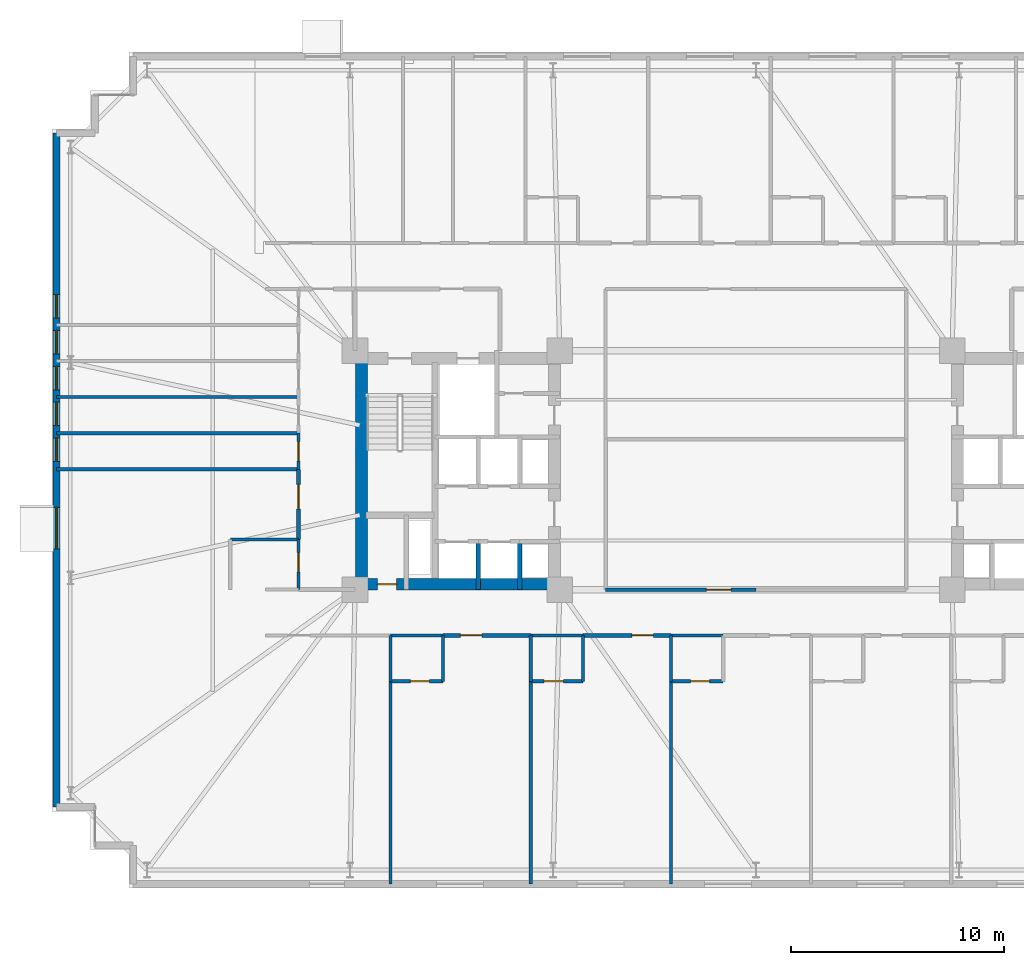
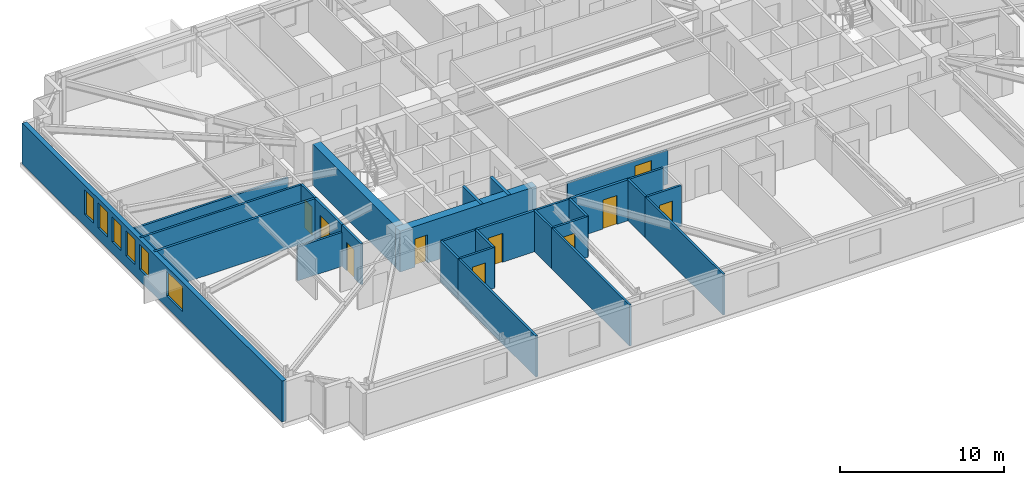
# One storey, part 14 of 22: 29 walls, 10 doors, 6 windows, 16 openings.
"""IFC4 building model written with IfcOpenShell, lengths in metres."""

from ifc_helpers import new_model, si_unit, direction, frame, frame_2d, origin, place, context, subcontext, project, spatial, rectangle, extrude, material, layer, layer_set, type_object, element, fill, save


model = new_model("IFC4")

# Units and contexts
model_context = context("Model", 3, precision=1e-05, world=origin(), true_north=direction((0.0, 1.0)))
body_context = subcontext(model_context, "Body", "Model", "MODEL_VIEW")
ifc_project = project(units=[si_unit("LENGTHUNIT", "METRE"), si_unit("AREAUNIT", "SQUARE_METRE"), si_unit("VOLUMEUNIT", "CUBIC_METRE"), si_unit("PLANEANGLEUNIT", "RADIAN"), si_unit("MASSUNIT", "GRAM", prefix="KILO")], contexts=[model_context])

# Site, building, storey
site_placement = place(None, origin())
site = spatial("IfcSite", under=ifc_project, at=site_placement, CompositionType="ELEMENT")
building_placement = place(site_placement, origin())
building = spatial("IfcBuilding", under=site, at=building_placement, Name="Qobustan Lattice House", CompositionType="ELEMENT")
storey_placement = place(building_placement, frame((0.0, 0.0, 60.5)))
storey = spatial("IfcBuildingStorey", under=building, at=storey_placement, Name="L16", CompositionType="ELEMENT", Elevation=60.5)

# Wall, opening, door
ifc_material_1 = material(Name="Concrete C60/75", Category="concrete")
ifc_layer_1 = layer(ifc_material_1, 0.56005859375)
ifc_layer_set_1 = layer_set([ifc_layer_1], Name="Concrete C60/75")
wall_type_1 = type_object("IfcWallType", Name="WAL-CORE-600", PredefinedType="SHEAR", material=ifc_layer_set_1)
wall_1_placement = place(storey_placement, frame((-18.800048828125, -5.35009765625, 0.0), z_axis=(0.0, 0.0, 1.0), x_axis=(1.0, 0.0, 0.0)))
wall_1 = element("IfcWall", 1, at=wall_1_placement, inside=storey, type_object=wall_type_1, Name="L16 split-core shear wall CW-S", PredefinedType="SHEAR", context=body_context, shape_type="SweptSolid", body=[
    extrude(rectangle(XDim=9.60009765625, YDim=0.56005859375, at=frame_2d((4.800048828125, 0.0))), origin(), (0.0, 0.0, 1.0), 3.034912109375),
])
opening_1_placement = place(wall_1_placement, frame((1.050048828125, 0.0, 0.0)))
opening_1 = element("IfcOpeningElement", 2, at=opening_1_placement, cuts=wall_1, Name="Opening RD-01", PredefinedType="OPENING", context=body_context, shape_type="SweptSolid", body=[
    extrude(rectangle(XDim=0.89990234375, YDim=2.10009765625, at=frame_2d((0.449951171875, 1.050048828125))), frame((0.0, 0.2900390625, 0.0), z_axis=(0.0, -1.0, 0.0), x_axis=(1.0, 0.0, 0.0)), (0.0, 0.0, 1.0), 0.580078125),
])
ifc_material_2 = material(Name="Persian walnut timber and steel frame door", Category="steel")
door_type_1 = type_object("IfcDoorType", Name="DOR-RISER-FD-900x2100", OperationType="NOTDEFINED", PredefinedType="DOOR", material=ifc_material_2)
door_1_placement = place(opening_1_placement, origin())
door_1 = element("IfcDoor", 3, at=door_1_placement, inside=storey, type_object=door_type_1, Name="L16 core service riser access door W", OperationType="SINGLE_SWING_RIGHT", OverallHeight=2.10009765625, OverallWidth=0.89990234375, PredefinedType="DOOR", context=body_context, shape_type="SweptSolid", body=[
    extrude(rectangle(XDim=0.89990234375, YDim=2.10009765625, at=frame_2d((0.449951171875, 1.050048828125))), frame((0.0, 0.02490234375, 0.0), z_axis=(0.0, -1.0, 0.0), x_axis=(1.0, 0.0, 0.0)), (0.0, 0.0, 1.0), 0.050048828125),
])
fill(opening_1, door_1)

# Wall
wall_2_placement = place(storey_placement, frame((-18.489990234375, -5.050048828125, 0.0), z_axis=(0.0, 0.0, 1.0), x_axis=(0.0, 1.0, 0.0)))
element("IfcWall", 4, at=wall_2_placement, inside=storey, type_object=wall_type_1, Name="L16 split-core shear wall CW-W", PredefinedType="SHEAR", context=body_context, shape_type="SweptSolid", body=[
    extrude(rectangle(XDim=10.10009765625, YDim=0.56005859375, at=frame_2d((5.050048828125, 0.0))), origin(), (0.0, 0.0, 1.0), 3.034912109375),
])

# Wall, openings, windows
ifc_material_3 = material(Name="Precast concrete C40/50", Category="concrete")
ifc_layer_2 = layer(ifc_material_3, 0.320068359375)
ifc_layer_set_2 = layer_set([ifc_layer_2], Name="Precast concrete C40/50")
wall_type_2 = type_object("IfcWallType", Name="WAL-EXT-STONE-320", PredefinedType="SOLIDWALL", material=ifc_layer_set_2)
wall_3_placement = place(storey_placement, frame((-32.800048828125, -15.800048828125, 0.0), z_axis=(0.0, 0.0, 1.0), x_axis=(0.0, 1.0, 0.0)))
wall_3 = element("IfcWall", 5, at=wall_3_placement, inside=storey, type_object=wall_type_2, Name="L16 exterior limestone-clad wall 5", PredefinedType="SOLIDWALL", context=body_context, shape_type="SweptSolid", body=[
    extrude(rectangle(XDim=31.60009765625, YDim=0.320068359375, at=frame_2d((15.800048828125, 0.0))), origin(), (0.0, 0.0, 1.0), 3.034912109375),
])
opening_2_placement = place(wall_3_placement, frame((12.10498046875, 0.0, 0.85009765625)))
opening_2 = element("IfcOpeningElement", 6, at=opening_2_placement, cuts=wall_3, Name="Opening WN-08", PredefinedType="OPENING", context=body_context, shape_type="SweptSolid", body=[
    extrude(rectangle(XDim=1.949951171875, YDim=1.85009765625, at=frame_2d((0.97509765625, 0.925048828125))), frame((0.0, 0.169921875, 0.0), z_axis=(0.0, -1.0, 0.0), x_axis=(1.0, 0.0, 0.0)), (0.0, 0.0, 1.0), 0.340087890625),
])
opening_3_placement = place(wall_3_placement, frame((16.2099609375, 0.0, 0.85009765625)))
opening_3 = element("IfcOpeningElement", 7, at=opening_3_placement, cuts=wall_3, Name="Opening WN-04", PredefinedType="OPENING", context=body_context, shape_type="SweptSolid", body=[
    extrude(rectangle(XDim=1.10009765625, YDim=1.85009765625, at=frame_2d((0.550048828125, 0.925048828125))), frame((0.0, 0.169921875, 0.0), z_axis=(0.0, -1.0, 0.0), x_axis=(1.0, 0.0, 0.0)), (0.0, 0.0, 1.0), 0.340087890625),
])
opening_4_placement = place(wall_3_placement, frame((17.889892578125, 0.0, 0.85009765625)))
opening_4 = element("IfcOpeningElement", 8, at=opening_4_placement, cuts=wall_3, Name="Opening WN-04", PredefinedType="OPENING", context=body_context, shape_type="SweptSolid", body=[
    extrude(rectangle(XDim=1.10009765625, YDim=1.85009765625, at=frame_2d((0.550048828125, 0.925048828125))), frame((0.0, 0.169921875, 0.0), z_axis=(0.0, -1.0, 0.0), x_axis=(1.0, 0.0, 0.0)), (0.0, 0.0, 1.0), 0.340087890625),
])
opening_5_placement = place(wall_3_placement, frame((19.570068359375, 0.0, 0.85009765625)))
opening_5 = element("IfcOpeningElement", 9, at=opening_5_placement, cuts=wall_3, Name="Opening WN-04", PredefinedType="OPENING", context=body_context, shape_type="SweptSolid", body=[
    extrude(rectangle(XDim=1.10009765625, YDim=1.85009765625, at=frame_2d((0.550048828125, 0.925048828125))), frame((0.0, 0.169921875, 0.0), z_axis=(0.0, -1.0, 0.0), x_axis=(1.0, 0.0, 0.0)), (0.0, 0.0, 1.0), 0.340087890625),
])
opening_6_placement = place(wall_3_placement, frame((21.25, 0.0, 0.85009765625)))
opening_6 = element("IfcOpeningElement", 10, at=opening_6_placement, cuts=wall_3, Name="Opening WN-04", PredefinedType="OPENING", context=body_context, shape_type="SweptSolid", body=[
    extrude(rectangle(XDim=1.10009765625, YDim=1.85009765625, at=frame_2d((0.550048828125, 0.925048828125))), frame((0.0, 0.169921875, 0.0), z_axis=(0.0, -1.0, 0.0), x_axis=(1.0, 0.0, 0.0)), (0.0, 0.0, 1.0), 0.340087890625),
])
opening_7_placement = place(wall_3_placement, frame((22.929931640625, 0.0, 0.85009765625)))
opening_7 = element("IfcOpeningElement", 11, at=opening_7_placement, cuts=wall_3, Name="Opening WN-04", PredefinedType="OPENING", context=body_context, shape_type="SweptSolid", body=[
    extrude(rectangle(XDim=1.10009765625, YDim=1.85009765625, at=frame_2d((0.550048828125, 0.925048828125))), frame((0.0, 0.169921875, 0.0), z_axis=(0.0, -1.0, 0.0), x_axis=(1.0, 0.0, 0.0)), (0.0, 0.0, 1.0), 0.340087890625),
])
ifc_material_4 = material(Name="Double-glazed low-E aluminium window", Category="aluminium")
window_type_1 = type_object("IfcWindowType", Name="WIN-KIT-1950x1850", PartitioningType="SINGLE_PANEL", PredefinedType="WINDOW", material=ifc_material_4)
window_1_placement = place(opening_2_placement, origin())
window_1 = element("IfcWindow", 12, at=window_1_placement, inside=storey, type_object=window_type_1, Name="L16 Shared kitchen L16W window", OverallHeight=1.85009765625, OverallWidth=1.949951171875, PartitioningType="SINGLE_PANEL", PredefinedType="WINDOW", context=body_context, shape_type="SweptSolid", body=[
    extrude(rectangle(XDim=1.949951171875, YDim=1.85009765625, at=frame_2d((0.97509765625, 0.925048828125))), frame((0.0, 0.030029296875, 0.0), z_axis=(0.0, -1.0, 0.0), x_axis=(1.0, 0.0, 0.0)), (0.0, 0.0, 1.0), 0.06005859375),
])
fill(opening_2, window_1)
ifc_material_5 = material(Name="Double-glazed low-E aluminium window", Category="aluminium")
window_type_2 = type_object("IfcWindowType", Name="WIN-NAR-1100x1850", PartitioningType="SINGLE_PANEL", PredefinedType="WINDOW", material=ifc_material_5)
window_2_placement = place(opening_3_placement, origin())
window_2 = element("IfcWindow", 13, at=window_2_placement, inside=storey, type_object=window_type_2, Name="L16 Cluster bedroom L16W1 window", OverallHeight=1.85009765625, OverallWidth=1.10009765625, PartitioningType="SINGLE_PANEL", PredefinedType="WINDOW", context=body_context, shape_type="SweptSolid", body=[
    extrude(rectangle(XDim=1.10009765625, YDim=1.85009765625, at=frame_2d((0.550048828125, 0.925048828125))), frame((0.0, 0.030029296875, 0.0), z_axis=(0.0, -1.0, 0.0), x_axis=(1.0, 0.0, 0.0)), (0.0, 0.0, 1.0), 0.06005859375),
])
fill(opening_3, window_2)
window_3_placement = place(opening_4_placement, origin())
window_3 = element("IfcWindow", 14, at=window_3_placement, inside=storey, type_object=window_type_2, Name="L16 Cluster bedroom L16W2 window", OverallHeight=1.85009765625, OverallWidth=1.10009765625, PartitioningType="SINGLE_PANEL", PredefinedType="WINDOW", context=body_context, shape_type="SweptSolid", body=[
    extrude(rectangle(XDim=1.10009765625, YDim=1.85009765625, at=frame_2d((0.550048828125, 0.925048828125))), frame((0.0, 0.030029296875, 0.0), z_axis=(0.0, -1.0, 0.0), x_axis=(1.0, 0.0, 0.0)), (0.0, 0.0, 1.0), 0.06005859375),
])
fill(opening_4, window_3)
window_4_placement = place(opening_5_placement, origin())
window_4 = element("IfcWindow", 15, at=window_4_placement, inside=storey, type_object=window_type_2, Name="L16 Cluster bedroom L16W3 window", OverallHeight=1.85009765625, OverallWidth=1.10009765625, PartitioningType="SINGLE_PANEL", PredefinedType="WINDOW", context=body_context, shape_type="SweptSolid", body=[
    extrude(rectangle(XDim=1.10009765625, YDim=1.85009765625, at=frame_2d((0.550048828125, 0.925048828125))), frame((0.0, 0.030029296875, 0.0), z_axis=(0.0, -1.0, 0.0), x_axis=(1.0, 0.0, 0.0)), (0.0, 0.0, 1.0), 0.06005859375),
])
fill(opening_5, window_4)
window_5_placement = place(opening_6_placement, origin())
window_5 = element("IfcWindow", 16, at=window_5_placement, inside=storey, type_object=window_type_2, Name="L16 Cluster bedroom L16W4 window", OverallHeight=1.85009765625, OverallWidth=1.10009765625, PartitioningType="SINGLE_PANEL", PredefinedType="WINDOW", context=body_context, shape_type="SweptSolid", body=[
    extrude(rectangle(XDim=1.10009765625, YDim=1.85009765625, at=frame_2d((0.550048828125, 0.925048828125))), frame((0.0, 0.030029296875, 0.0), z_axis=(0.0, -1.0, 0.0), x_axis=(1.0, 0.0, 0.0)), (0.0, 0.0, 1.0), 0.06005859375),
])
fill(opening_6, window_5)
window_6_placement = place(opening_7_placement, origin())
window_6 = element("IfcWindow", 17, at=window_6_placement, inside=storey, type_object=window_type_2, Name="L16 Cluster bedroom L16W5 window", OverallHeight=1.85009765625, OverallWidth=1.10009765625, PartitioningType="SINGLE_PANEL", PredefinedType="WINDOW", context=body_context, shape_type="SweptSolid", body=[
    extrude(rectangle(XDim=1.10009765625, YDim=1.85009765625, at=frame_2d((0.550048828125, 0.925048828125))), frame((0.0, 0.030029296875, 0.0), z_axis=(0.0, -1.0, 0.0), x_axis=(1.0, 0.0, 0.0)), (0.0, 0.0, 1.0), 0.06005859375),
])
fill(opening_7, window_6)

# Wall, opening, door
ifc_material_6 = material(Name="Gypsum fireboard acoustic partition", Category="gypsum")
ifc_layer_3 = layer(ifc_material_6, 0.179931640625)
ifc_layer_set_3 = layer_set([ifc_layer_3], Name="Gypsum fireboard acoustic partition")
wall_type_3 = type_object("IfcWallType", Name="WAL-FIRE-180", PredefinedType="PARTITIONING", material=ifc_layer_set_3)
wall_4_placement = place(storey_placement, frame((-10.556884765625, -7.75, 0.0), z_axis=(0.0, 0.0, 1.0), x_axis=(-1.0, 0.0, 0.0)))
wall_4 = element("IfcWall", 18, at=wall_4_placement, inside=storey, type_object=wall_type_3, Name="L16 interior partition 61", PredefinedType="PARTITIONING", context=body_context, shape_type="SweptSolid", body=[
    extrude(rectangle(XDim=4.1220703125, YDim=0.179931640625, at=frame_2d((2.06103515625, 0.0))), origin(), (0.0, 0.0, 1.0), 3.034912109375),
])
opening_8_placement = place(wall_4_placement, frame((2.296630859375, 0.0, 0.0)))
opening_8 = element("IfcOpeningElement", 19, at=opening_8_placement, cuts=wall_4, Name="Opening FD-02", PredefinedType="OPENING", context=body_context, shape_type="SweptSolid", body=[
    extrude(rectangle(XDim=1.0, YDim=2.14990234375, at=frame_2d((0.5, 1.074951171875))), frame((0.0, 0.099853515625, 0.0), z_axis=(0.0, -1.0, 0.0), x_axis=(1.0, 0.0, 0.0)), (0.0, 0.0, 1.0), 0.199951171875),
])
ifc_material_7 = material(Name="Persian walnut timber and steel frame door", Category="steel")
door_type_2 = type_object("IfcDoorType", Name="DOR-UNIT-FD-1000x2150", OperationType="NOTDEFINED", PredefinedType="DOOR", material=ifc_material_7)
door_2_placement = place(opening_8_placement, origin())
door_2 = element("IfcDoor", 20, at=door_2_placement, inside=storey, type_object=door_type_2, Name="L16 South-west floor corridor to Kitchenette and studio apartment L16-S2 door", OperationType="SINGLE_SWING_RIGHT", OverallHeight=2.14990234375, OverallWidth=1.0, PredefinedType="DOOR", context=body_context, shape_type="SweptSolid", body=[
    extrude(rectangle(XDim=1.0, YDim=2.14990234375, at=frame_2d((0.5, 1.074951171875))), frame((0.0, 0.02490234375, 0.0), z_axis=(0.0, -1.0, 0.0), x_axis=(1.0, 0.0, 0.0)), (0.0, 0.0, 1.0), 0.050048828125),
])
fill(opening_8, door_2)

wall_5_placement = place(storey_placement, frame((-3.986083984375, -7.75, 0.0), z_axis=(0.0, 0.0, 1.0), x_axis=(-1.0, 0.0, 0.0)))
wall_5 = element("IfcWall", 21, at=wall_5_placement, inside=storey, type_object=wall_type_3, Name="L16 interior partition 63", PredefinedType="PARTITIONING", context=body_context, shape_type="SweptSolid", body=[
    extrude(rectangle(XDim=4.120849609375, YDim=0.179931640625, at=frame_2d((2.060546875, 0.0))), origin(), (0.0, 0.0, 1.0), 3.034912109375),
])
opening_9_placement = place(wall_5_placement, frame((0.8251953125, 0.0, 0.0)))
opening_9 = element("IfcOpeningElement", 22, at=opening_9_placement, cuts=wall_5, Name="Opening FD-02", PredefinedType="OPENING", context=body_context, shape_type="SweptSolid", body=[
    extrude(rectangle(XDim=1.0, YDim=2.14990234375, at=frame_2d((0.5, 1.074951171875))), frame((0.0, 0.099853515625, 0.0), z_axis=(0.0, -1.0, 0.0), x_axis=(1.0, 0.0, 0.0)), (0.0, 0.0, 1.0), 0.199951171875),
])
door_3_placement = place(opening_9_placement, origin())
door_3 = element("IfcDoor", 23, at=door_3_placement, inside=storey, type_object=door_type_2, Name="L16 South-west floor corridor to Kitchenette and studio apartment L16-S3 door", OperationType="SINGLE_SWING_LEFT", OverallHeight=2.14990234375, OverallWidth=1.0, PredefinedType="DOOR", context=body_context, shape_type="SweptSolid", body=[
    extrude(rectangle(XDim=1.0, YDim=2.14990234375, at=frame_2d((0.5, 1.074951171875))), frame((0.0, 0.02490234375, 0.0), z_axis=(0.0, -1.0, 0.0), x_axis=(1.0, 0.0, 0.0)), (0.0, 0.0, 1.0), 0.050048828125),
])
fill(opening_9, door_3)

ifc_material_8 = material(Name="Acoustic twin-stud gypsum partition", Category="gypsum")
ifc_layer_4 = layer(ifc_material_8, 0.14990234375)
ifc_layer_set_4 = layer_set([ifc_layer_4], Name="Acoustic twin-stud gypsum partition")
wall_type_4 = type_object("IfcWallType", Name="WAL-PART-150", PredefinedType="PARTITIONING", material=ifc_layer_set_4)
wall_6_placement = place(storey_placement, frame((-21.449951171875, 0.0400390625, 0.0), z_axis=(0.0, 0.0, 1.0), x_axis=(0.0, 1.0, 0.0)))
wall_6 = element("IfcWall", 24, at=wall_6_placement, inside=storey, type_object=wall_type_4, Name="L16 interior partition 84", PredefinedType="PARTITIONING", context=body_context, shape_type="SweptSolid", body=[
    extrude(rectangle(XDim=1.69189453125, YDim=0.14990234375, at=frame_2d((0.845947265625, 0.0))), origin(), (0.0, 0.0, 1.0), 3.034912109375),
])
opening_10_placement = place(wall_6_placement, frame((0.39599609375, 0.0, 0.0)))
opening_10 = element("IfcOpeningElement", 25, at=opening_10_placement, cuts=wall_6, Name="Opening WD-01", PredefinedType="OPENING", context=body_context, shape_type="SweptSolid", body=[
    extrude(rectangle(XDim=0.89990234375, YDim=2.10009765625, at=frame_2d((0.449951171875, 1.050048828125))), frame((0.0, 0.0849609375, 0.0), z_axis=(0.0, -1.0, 0.0), x_axis=(1.0, 0.0, 0.0)), (0.0, 0.0, 1.0), 0.169921875),
])
ifc_material_9 = material(Name="Persian walnut timber and steel frame door", Category="steel")
door_type_3 = type_object("IfcDoorType", Name="DOR-WET-900x2100", OperationType="NOTDEFINED", PredefinedType="DOOR", material=ifc_material_9)
door_4_placement = place(opening_10_placement, origin())
door_4 = element("IfcDoor", 26, at=door_4_placement, inside=storey, type_object=door_type_3, Name="L16 Residence entrance hall L16W to Cluster bedroom L16W1 door", OperationType="SINGLE_SWING_RIGHT", OverallHeight=2.10009765625, OverallWidth=0.89990234375, PredefinedType="DOOR", context=body_context, shape_type="SweptSolid", body=[
    extrude(rectangle(XDim=0.89990234375, YDim=2.10009765625, at=frame_2d((0.449951171875, 1.050048828125))), frame((0.0, 0.02490234375, 0.0), z_axis=(0.0, -1.0, 0.0), x_axis=(1.0, 0.0, 0.0)), (0.0, 0.0, 1.0), 0.050048828125),
])
fill(opening_10, door_4)

# Walls
wall_7_placement = place(storey_placement, frame((-32.800048828125, 1.73193359375, 0.0), z_axis=(0.0, 0.0, 1.0), x_axis=(1.0, 0.0, 0.0)))
element("IfcWall", 27, at=wall_7_placement, inside=storey, type_object=wall_type_4, Name="L16 interior partition 92", PredefinedType="PARTITIONING", context=body_context, shape_type="SweptSolid", body=[
    extrude(rectangle(XDim=11.35009765625, YDim=0.14990234375, at=frame_2d((5.675048828125, 0.0))), origin(), (0.0, 0.0, 1.0), 3.034912109375),
])
wall_8_placement = place(storey_placement, frame((-32.800048828125, 3.424072265625, 0.0), z_axis=(0.0, 0.0, 1.0), x_axis=(1.0, 0.0, 0.0)))
element("IfcWall", 28, at=wall_8_placement, inside=storey, type_object=wall_type_4, Name="L16 interior partition 93", PredefinedType="PARTITIONING", context=body_context, shape_type="SweptSolid", body=[
    extrude(rectangle(XDim=11.35009765625, YDim=0.14990234375, at=frame_2d((5.675048828125, 0.0))), origin(), (0.0, 0.0, 1.0), 2.52001953125),
])
for number, where, z_axis, x_axis, name in (
    (29, (-17.12890625, -9.89990234375, 0.0), (0.0, 0.0, 1.0), (0.0, -1.0, 0.0), "L16 interior partition 133"),
    (30, (-10.556884765625, -9.89990234375, 0.0), (0.0, 0.0, 1.0), (0.0, -1.0, 0.0), "L16 interior partition 137"),
    (31, (-3.986083984375, -9.89990234375, 0.0), (0.0, 0.0, 1.0), (0.0, -1.0, 0.0), "L16 interior partition 141"),
):
    element("IfcWall", number, at=place(storey_placement, frame(where, z_axis=z_axis, x_axis=x_axis)), inside=storey, type_object=wall_type_4, Name=name, PredefinedType="PARTITIONING", context=body_context, shape_type="SweptSolid", body=[
        extrude(rectangle(XDim=9.5, YDim=0.14990234375, at=frame_2d((4.75, 0.0))), origin(), (0.0, 0.0, 1.0), 3.034912109375),
    ])

# Wall, opening, door
ifc_material_10 = material(Name="High-mass acoustic twin-stud partition", Category="gypsum")
ifc_layer_5 = layer(ifc_material_10, 0.1650390625)
ifc_layer_set_5 = layer_set([ifc_layer_5], Name="High-mass acoustic twin-stud partition")
wall_type_5 = type_object("IfcWallType", Name="WAL-PART-165", PredefinedType="PARTITIONING", material=ifc_layer_set_5)
wall_9_placement = place(storey_placement, frame((-7.050048828125, -5.60009765625, 0.0), z_axis=(0.0, 0.0, 1.0), x_axis=(1.0, 0.0, 0.0)))
wall_9 = element("IfcWall", 32, at=wall_9_placement, inside=storey, type_object=wall_type_5, Name="L16 interior partition 67", PredefinedType="PARTITIONING", context=body_context, shape_type="SweptSolid", body=[
    extrude(rectangle(XDim=7.050048828125, YDim=0.1650390625, at=frame_2d((3.52490234375, 0.0))), origin(), (0.0, 0.0, 1.0), 2.52001953125),
])
opening_11_placement = place(wall_9_placement, frame((4.7275390625, 0.0, 0.0)))
opening_11 = element("IfcOpeningElement", 33, at=opening_11_placement, cuts=wall_9, Name="Opening ID-03", PredefinedType="OPENING", context=body_context, shape_type="SweptSolid", body=[
    extrude(rectangle(XDim=1.14990234375, YDim=2.14990234375, at=frame_2d((0.574951171875, 1.074951171875))), frame((0.0, 0.092529296875, 0.0), z_axis=(0.0, -1.0, 0.0), x_axis=(1.0, 0.0, 0.0)), (0.0, 0.0, 1.0), 0.18505859375),
])
ifc_material_11 = material(Name="Persian walnut timber and steel frame door", Category="steel")
door_type_4 = type_object("IfcDoorType", Name="DOR-KITCH-1150x2150", OperationType="NOTDEFINED", PredefinedType="DOOR", material=ifc_material_11)
door_5_placement = place(opening_11_placement, origin())
door_5 = element("IfcDoor", 34, at=door_5_placement, inside=storey, type_object=door_type_4, Name="L16 South-west floor corridor to Communal dining kitchen door", OperationType="SINGLE_SWING_RIGHT", OverallHeight=2.14990234375, OverallWidth=1.14990234375, PredefinedType="DOOR", context=body_context, shape_type="SweptSolid", body=[
    extrude(rectangle(XDim=1.14990234375, YDim=2.14990234375, at=frame_2d((0.574951171875, 1.074951171875))), frame((0.0, 0.02490234375, 0.0), z_axis=(0.0, -1.0, 0.0), x_axis=(1.0, 0.0, 0.0)), (0.0, 0.0, 1.0), 0.050048828125),
])
fill(opening_11, door_5)

wall_10_placement = place(storey_placement, frame((-21.449951171875, -3.25, 0.0), z_axis=(0.0, 0.0, 1.0), x_axis=(0.0, 1.0, 0.0)))
wall_10 = element("IfcWall", 35, at=wall_10_placement, inside=storey, type_object=wall_type_5, Name="L16 interior partition 83", PredefinedType="PARTITIONING", context=body_context, shape_type="SweptSolid", body=[
    extrude(rectangle(XDim=3.2900390625, YDim=0.1650390625, at=frame_2d((1.64501953125, 0.0))), origin(), (0.0, 0.0, 1.0), 3.034912109375),
])
opening_12_placement = place(wall_10_placement, frame((1.4375, 0.0, 0.0)))
opening_12 = element("IfcOpeningElement", 36, at=opening_12_placement, cuts=wall_10, Name="Opening ID-03", PredefinedType="OPENING", context=body_context, shape_type="SweptSolid", body=[
    extrude(rectangle(XDim=1.14990234375, YDim=2.14990234375, at=frame_2d((0.574951171875, 1.074951171875))), frame((0.0, 0.092529296875, 0.0), z_axis=(0.0, -1.0, 0.0), x_axis=(1.0, 0.0, 0.0)), (0.0, 0.0, 1.0), 0.18505859375),
])
door_6_placement = place(opening_12_placement, origin())
door_6 = element("IfcDoor", 37, at=door_6_placement, inside=storey, type_object=door_type_4, Name="L16 Residence entrance hall L16W to Shared kitchen L16W door", OperationType="SINGLE_SWING_LEFT", OverallHeight=2.14990234375, OverallWidth=1.14990234375, PredefinedType="DOOR", context=body_context, shape_type="SweptSolid", body=[
    extrude(rectangle(XDim=1.14990234375, YDim=2.14990234375, at=frame_2d((0.574951171875, 1.074951171875))), frame((0.0, 0.02490234375, 0.0), z_axis=(0.0, -1.0, 0.0), x_axis=(1.0, 0.0, 0.0)), (0.0, 0.0, 1.0), 0.050048828125),
])
fill(opening_12, door_6)

# Walls
wall_11_placement = place(storey_placement, frame((-32.800048828125, 0.0400390625, 0.0), z_axis=(0.0, 0.0, 1.0), x_axis=(1.0, 0.0, 0.0)))
element("IfcWall", 38, at=wall_11_placement, inside=storey, type_object=wall_type_5, Name="L16 interior partition 91", PredefinedType="PARTITIONING", context=body_context, shape_type="SweptSolid", body=[
    extrude(rectangle(XDim=11.35009765625, YDim=0.1650390625, at=frame_2d((5.675048828125, 0.0))), origin(), (0.0, 0.0, 1.0), 3.034912109375),
])
ifc_material_12 = material(Name="Concrete C40/50", Category="concrete")
ifc_layer_6 = layer(ifc_material_12, 0.199951171875)
ifc_layer_set_6 = layer_set([ifc_layer_6], Name="Concrete C40/50")
wall_type_6 = type_object("IfcWallType", Name="WAL-SHAFT-200", PredefinedType="PARTITIONING", material=ifc_layer_set_6)
for number, where, z_axis, x_axis, name in (
    (39, (-13.02001953125, -5.60009765625, 0.0), (0.0, 0.0, 1.0), (0.0, 1.0, 0.0), "L16 interior partition 16"),
    (40, (-11.080078125, -5.60009765625, 0.0), (0.0, 0.0, 1.0), (0.0, 1.0, 0.0), "L16 interior partition 17"),
):
    element("IfcWall", number, at=place(storey_placement, frame(where, z_axis=z_axis, x_axis=x_axis)), inside=storey, type_object=wall_type_6, Name=name, PredefinedType="PARTITIONING", context=body_context, shape_type="SweptSolid", body=[
        extrude(rectangle(XDim=2.25, YDim=0.199951171875, at=frame_2d((1.125, 0.0))), origin(), (0.0, 0.0, 1.0), 3.034912109375),
    ])
ifc_material_13 = material(Name="Moisture-resistant acoustic plumbing wall", Category="gypsum")
ifc_layer_7 = layer(ifc_material_13, 0.14990234375)
ifc_layer_set_7 = layer_set([ifc_layer_7], Name="Moisture-resistant acoustic plumbing wall")
wall_type_7 = type_object("IfcWallType", Name="WAL-WET-150", PredefinedType="PLUMBINGWALL", material=ifc_layer_set_7)
for number, where, z_axis, x_axis, name in (
    (41, (-14.678955078125, -7.75, 0.0), (0.0, 0.0, 1.0), (-1.0, 0.0, 0.0), "L16 interior partition 62"),
    (42, (-8.10693359375, -7.75, 0.0), (0.0, 0.0, 1.0), (-1.0, 0.0, 0.0), "L16 interior partition 64"),
):
    element("IfcWall", number, at=place(storey_placement, frame(where, z_axis=z_axis, x_axis=x_axis)), inside=storey, type_object=wall_type_7, Name=name, PredefinedType="PLUMBINGWALL", context=body_context, shape_type="SweptSolid", body=[
        extrude(rectangle(XDim=2.449951171875, YDim=0.14990234375, at=frame_2d((1.22509765625, 0.0))), origin(), (0.0, 0.0, 1.0), 3.034912109375),
    ])
wall_12_placement = place(storey_placement, frame((-1.535888671875, -7.75, 0.0), z_axis=(0.0, 0.0, 1.0), x_axis=(-1.0, 0.0, 0.0)))
element("IfcWall", 43, at=wall_12_placement, inside=storey, type_object=wall_type_7, Name="L16 interior partition 66", PredefinedType="PLUMBINGWALL", context=body_context, shape_type="SweptSolid", body=[
    extrude(rectangle(XDim=2.4501953125, YDim=0.14990234375, at=frame_2d((1.22509765625, 0.0))), origin(), (0.0, 0.0, 1.0), 3.034912109375),
])

# Wall, opening, door
wall_13_placement = place(storey_placement, frame((-21.449951171875, -5.60009765625, 0.0), z_axis=(0.0, 0.0, 1.0), x_axis=(0.0, 1.0, 0.0)))
wall_13 = element("IfcWall", 44, at=wall_13_placement, inside=storey, type_object=wall_type_7, Name="L16 interior partition 82", PredefinedType="PLUMBINGWALL", context=body_context, shape_type="SweptSolid", body=[
    extrude(rectangle(XDim=2.35009765625, YDim=0.14990234375, at=frame_2d((1.175048828125, 0.0))), origin(), (0.0, 0.0, 1.0), 3.034912109375),
])
opening_13_placement = place(wall_13_placement, frame((0.833740234375, 0.0, 0.0)))
opening_13 = element("IfcOpeningElement", 45, at=opening_13_placement, cuts=wall_13, Name="Opening WD-01", PredefinedType="OPENING", context=body_context, shape_type="SweptSolid", body=[
    extrude(rectangle(XDim=0.89990234375, YDim=2.10009765625, at=frame_2d((0.449951171875, 1.050048828125))), frame((0.0, 0.0849609375, 0.0), z_axis=(0.0, -1.0, 0.0), x_axis=(1.0, 0.0, 0.0)), (0.0, 0.0, 1.0), 0.169921875),
])
door_7_placement = place(opening_13_placement, origin())
door_7 = element("IfcDoor", 46, at=door_7_placement, inside=storey, type_object=door_type_3, Name="L16 Residence entrance hall L16W to Shared bathroom L16W door", OperationType="SINGLE_SWING_RIGHT", OverallHeight=2.10009765625, OverallWidth=0.89990234375, PredefinedType="DOOR", context=body_context, shape_type="SweptSolid", body=[
    extrude(rectangle(XDim=0.89990234375, YDim=2.10009765625, at=frame_2d((0.449951171875, 1.050048828125))), frame((0.0, 0.02490234375, 0.0), z_axis=(0.0, -1.0, 0.0), x_axis=(1.0, 0.0, 0.0)), (0.0, 0.0, 1.0), 0.050048828125),
])
fill(opening_13, door_7)

# Walls
wall_14_placement = place(storey_placement, frame((-24.64990234375, -3.25, 0.0), z_axis=(0.0, 0.0, 1.0), x_axis=(1.0, 0.0, 0.0)))
element("IfcWall", 47, at=wall_14_placement, inside=storey, type_object=wall_type_7, Name="L16 interior partition 89", PredefinedType="PLUMBINGWALL", context=body_context, shape_type="SweptSolid", body=[
    extrude(rectangle(XDim=3.199951171875, YDim=0.14990234375, at=frame_2d((1.60009765625, 0.0))), origin(), (0.0, 0.0, 1.0), 2.52001953125),
])
wall_15_placement = place(storey_placement, frame((-17.12890625, -7.75, 0.0), z_axis=(0.0, 0.0, 1.0), x_axis=(0.0, -1.0, 0.0)))
element("IfcWall", 48, at=wall_15_placement, inside=storey, type_object=wall_type_7, Name="L16 interior partition 134", PredefinedType="PLUMBINGWALL", context=body_context, shape_type="SweptSolid", body=[
    extrude(rectangle(XDim=2.14990234375, YDim=0.14990234375, at=frame_2d((1.074951171875, 0.0))), origin(), (0.0, 0.0, 1.0), 3.034912109375),
])

# Wall, opening, door
wall_16_placement = place(storey_placement, frame((-17.12890625, -9.89990234375, 0.0), z_axis=(0.0, 0.0, 1.0), x_axis=(1.0, 0.0, 0.0)))
wall_16 = element("IfcWall", 49, at=wall_16_placement, inside=storey, type_object=wall_type_7, Name="L16 interior partition 135", PredefinedType="PLUMBINGWALL", context=body_context, shape_type="SweptSolid", body=[
    extrude(rectangle(XDim=2.449951171875, YDim=0.14990234375, at=frame_2d((1.22509765625, 0.0))), origin(), (0.0, 0.0, 1.0), 3.034912109375),
])
opening_14_placement = place(wall_16_placement, frame((0.92138671875, 0.0, 0.0)))
opening_14 = element("IfcOpeningElement", 50, at=opening_14_placement, cuts=wall_16, Name="Opening WD-01", PredefinedType="OPENING", context=body_context, shape_type="SweptSolid", body=[
    extrude(rectangle(XDim=0.89990234375, YDim=2.10009765625, at=frame_2d((0.449951171875, 1.050048828125))), frame((0.0, 0.0849609375, 0.0), z_axis=(0.0, -1.0, 0.0), x_axis=(1.0, 0.0, 0.0)), (0.0, 0.0, 1.0), 0.169921875),
])
door_8_placement = place(opening_14_placement, origin())
door_8 = element("IfcDoor", 51, at=door_8_placement, inside=storey, type_object=door_type_3, Name="L16 Kitchenette and studio apartment L16-S2 to En-suite bathroom L16-S2 door", OperationType="SINGLE_SWING_LEFT", OverallHeight=2.10009765625, OverallWidth=0.89990234375, PredefinedType="DOOR", context=body_context, shape_type="SweptSolid", body=[
    extrude(rectangle(XDim=0.89990234375, YDim=2.10009765625, at=frame_2d((0.449951171875, 1.050048828125))), frame((0.0, 0.02490234375, 0.0), z_axis=(0.0, -1.0, 0.0), x_axis=(1.0, 0.0, 0.0)), (0.0, 0.0, 1.0), 0.050048828125),
])
fill(opening_14, door_8)

# Walls
for number, where, z_axis, x_axis, name in (
    (52, (-14.678955078125, -9.89990234375, 0.0), (0.0, 0.0, 1.0), (0.0, 1.0, 0.0), "L16 interior partition 136"),
    (53, (-10.556884765625, -7.75, 0.0), (0.0, 0.0, 1.0), (0.0, -1.0, 0.0), "L16 interior partition 138"),
):
    element("IfcWall", number, at=place(storey_placement, frame(where, z_axis=z_axis, x_axis=x_axis)), inside=storey, type_object=wall_type_7, Name=name, PredefinedType="PLUMBINGWALL", context=body_context, shape_type="SweptSolid", body=[
        extrude(rectangle(XDim=2.14990234375, YDim=0.14990234375, at=frame_2d((1.074951171875, 0.0))), origin(), (0.0, 0.0, 1.0), 3.034912109375),
    ])

# Wall, opening, door
wall_17_placement = place(storey_placement, frame((-10.556884765625, -9.89990234375, 0.0), z_axis=(0.0, 0.0, 1.0), x_axis=(1.0, 0.0, 0.0)))
wall_17 = element("IfcWall", 54, at=wall_17_placement, inside=storey, type_object=wall_type_7, Name="L16 interior partition 139", PredefinedType="PLUMBINGWALL", context=body_context, shape_type="SweptSolid", body=[
    extrude(rectangle(XDim=2.449951171875, YDim=0.14990234375, at=frame_2d((1.22509765625, 0.0))), origin(), (0.0, 0.0, 1.0), 3.034912109375),
])
opening_15_placement = place(wall_17_placement, frame((0.62890625, 0.0, 0.0)))
opening_15 = element("IfcOpeningElement", 55, at=opening_15_placement, cuts=wall_17, Name="Opening WD-01", PredefinedType="OPENING", context=body_context, shape_type="SweptSolid", body=[
    extrude(rectangle(XDim=0.89990234375, YDim=2.10009765625, at=frame_2d((0.449951171875, 1.050048828125))), frame((0.0, 0.0849609375, 0.0), z_axis=(0.0, -1.0, 0.0), x_axis=(1.0, 0.0, 0.0)), (0.0, 0.0, 1.0), 0.169921875),
])
door_9_placement = place(opening_15_placement, origin())
door_9 = element("IfcDoor", 56, at=door_9_placement, inside=storey, type_object=door_type_3, Name="L16 Kitchenette and studio apartment L16-S3 to En-suite bathroom L16-S3 door", OperationType="SINGLE_SWING_RIGHT", OverallHeight=2.10009765625, OverallWidth=0.89990234375, PredefinedType="DOOR", context=body_context, shape_type="SweptSolid", body=[
    extrude(rectangle(XDim=0.89990234375, YDim=2.10009765625, at=frame_2d((0.449951171875, 1.050048828125))), frame((0.0, 0.02490234375, 0.0), z_axis=(0.0, -1.0, 0.0), x_axis=(1.0, 0.0, 0.0)), (0.0, 0.0, 1.0), 0.050048828125),
])
fill(opening_15, door_9)

# Walls
for number, where, z_axis, x_axis, name in (
    (57, (-8.10693359375, -9.89990234375, 0.0), (0.0, 0.0, 1.0), (0.0, 1.0, 0.0), "L16 interior partition 140"),
    (58, (-3.986083984375, -7.75, 0.0), (0.0, 0.0, 1.0), (0.0, -1.0, 0.0), "L16 interior partition 142"),
):
    element("IfcWall", number, at=place(storey_placement, frame(where, z_axis=z_axis, x_axis=x_axis)), inside=storey, type_object=wall_type_7, Name=name, PredefinedType="PLUMBINGWALL", context=body_context, shape_type="SweptSolid", body=[
        extrude(rectangle(XDim=2.14990234375, YDim=0.14990234375, at=frame_2d((1.074951171875, 0.0))), origin(), (0.0, 0.0, 1.0), 3.034912109375),
    ])

# Wall, opening, door
wall_18_placement = place(storey_placement, frame((-3.986083984375, -9.89990234375, 0.0), z_axis=(0.0, 0.0, 1.0), x_axis=(1.0, 0.0, 0.0)))
wall_18 = element("IfcWall", 59, at=wall_18_placement, inside=storey, type_object=wall_type_7, Name="L16 interior partition 143", PredefinedType="PLUMBINGWALL", context=body_context, shape_type="SweptSolid", body=[
    extrude(rectangle(XDim=2.4501953125, YDim=0.14990234375, at=frame_2d((1.22509765625, 0.0))), origin(), (0.0, 0.0, 1.0), 3.034912109375),
])
opening_16_placement = place(wall_18_placement, frame((0.92138671875, 0.0, 0.0)))
opening_16 = element("IfcOpeningElement", 60, at=opening_16_placement, cuts=wall_18, Name="Opening WD-01", PredefinedType="OPENING", context=body_context, shape_type="SweptSolid", body=[
    extrude(rectangle(XDim=0.89990234375, YDim=2.10009765625, at=frame_2d((0.449951171875, 1.050048828125))), frame((0.0, 0.0849609375, 0.0), z_axis=(0.0, -1.0, 0.0), x_axis=(1.0, 0.0, 0.0)), (0.0, 0.0, 1.0), 0.169921875),
])
door_10_placement = place(opening_16_placement, origin())
door_10 = element("IfcDoor", 61, at=door_10_placement, inside=storey, type_object=door_type_3, Name="L16 Kitchenette and studio apartment L16-S4 to En-suite bathroom L16-S4 door", OperationType="SINGLE_SWING_LEFT", OverallHeight=2.10009765625, OverallWidth=0.89990234375, PredefinedType="DOOR", context=body_context, shape_type="SweptSolid", body=[
    extrude(rectangle(XDim=0.89990234375, YDim=2.10009765625, at=frame_2d((0.449951171875, 1.050048828125))), frame((0.0, 0.02490234375, 0.0), z_axis=(0.0, -1.0, 0.0), x_axis=(1.0, 0.0, 0.0)), (0.0, 0.0, 1.0), 0.050048828125),
])
fill(opening_16, door_10)

save(model, "model.ifc")
